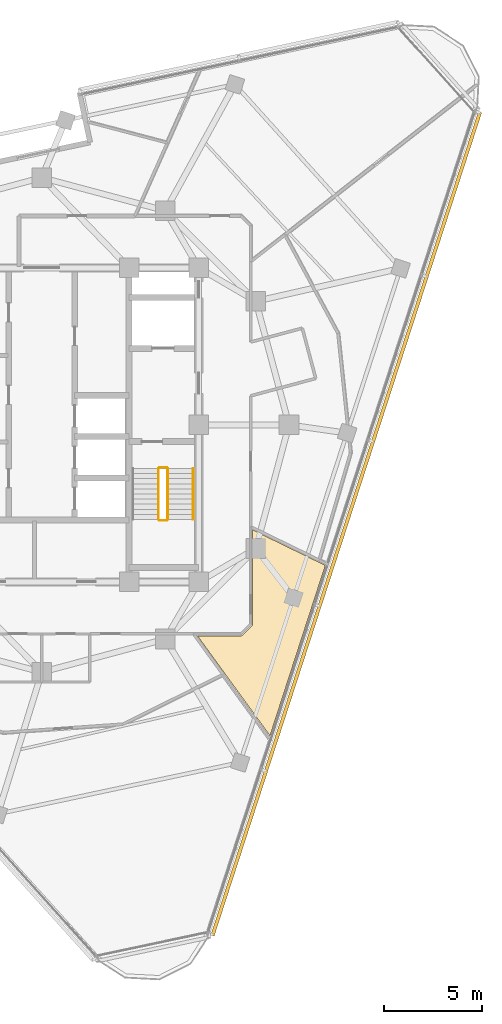
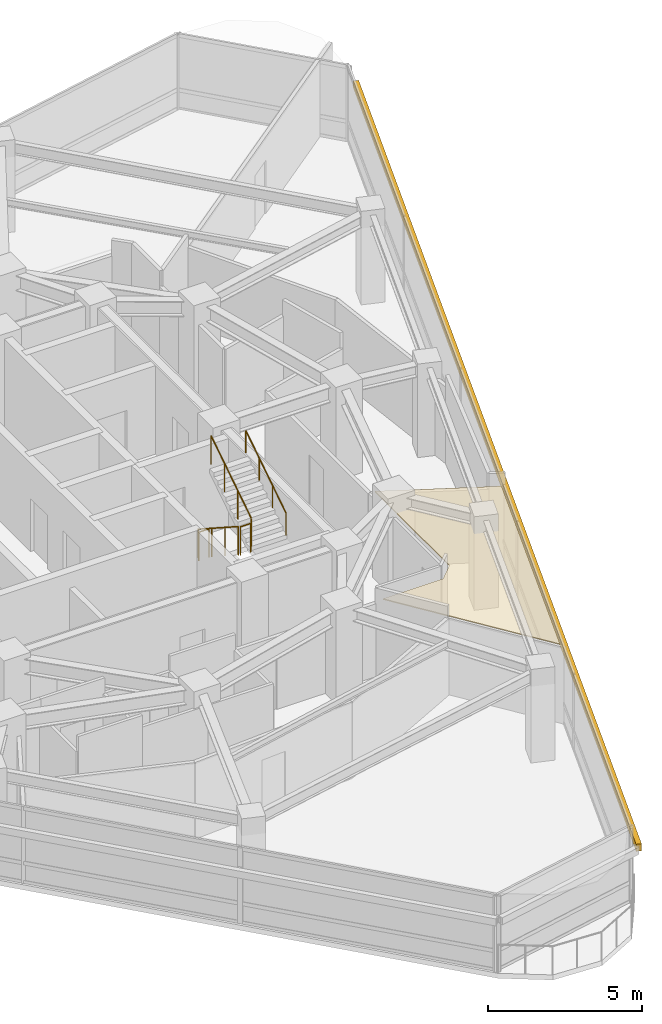
# One storey, part 13 of 15: 5 railings, 1 covering, 1 shading device.
"""IFC4 building model written with IfcOpenShell, lengths in metres."""

from ifc_helpers import new_model, si_unit, direction, frame, origin, origin_2d, place, context, subcontext, project, spatial, polyline, rectangle, circle, outline, extrude, material, layer, layer_set, type_object, element, save


model = new_model("IFC4")

# Units and contexts
model_context = context("Model", 3, precision=1e-05, world=origin(), true_north=direction((0.0, 1.0)))
body_context = subcontext(model_context, "Body", "Model", "MODEL_VIEW")
ifc_project = project(units=[si_unit("LENGTHUNIT", "METRE"), si_unit("AREAUNIT", "SQUARE_METRE"), si_unit("VOLUMEUNIT", "CUBIC_METRE"), si_unit("PLANEANGLEUNIT", "RADIAN"), si_unit("MASSUNIT", "GRAM", prefix="KILO")], contexts=[model_context])

# Site, building, storey
site_placement = place(None, origin())
site = spatial("IfcSite", under=ifc_project, at=site_placement, CompositionType="ELEMENT")
building_placement = place(site_placement, origin())
building = spatial("IfcBuilding", under=site, at=building_placement, Name="Terralouvre Media Tower", CompositionType="ELEMENT")
storey_placement = place(building_placement, frame((0.0, 0.0, 294.300048828125)))
storey = spatial("IfcBuildingStorey", under=building, at=storey_placement, Name="L76", CompositionType="ELEMENT", Elevation=294.300048828125)

# Covering
ifc_material_1 = material(Name="Perforated aluminium acoustic ceiling baffle", Category="aluminium")
ifc_layer_1 = layer(ifc_material_1, 0.0400390625, Name="Perforated Acoustic Metal Tile Ceiling CL-AC1")
ifc_layer_set_1 = layer_set([ifc_layer_1], Name="Perforated aluminium acoustic ceiling baffle")
covering_type = type_object("IfcCoveringType", Name="Perforated Acoustic Metal Tile Ceiling CL-AC1", PredefinedType="CEILING", material=ifc_layer_set_1)
covering_placement = place(storey_placement, frame((0.0, 0.0, 2.97998046875), z_axis=(0.0, 0.0, 1.0), x_axis=(0.309016994375, 0.951056516295, 0.0)))
element("IfcCovering", 1, at=covering_placement, inside=storey, type_object=covering_type, Name="L76 Design Critique Boardroom 5 Acoustic Ceiling", PredefinedType="CEILING", context=body_context, shape_type="SweptSolid", body=[
    extrude(outline(polyline([(-1.77001953125, -11.87841796875), (-6.331298828125, -13.3603515625), (-6.3408203125, -13.363037109375), (-6.350341796875, -13.364501953125), (-6.360107421875, -13.365234375), (-6.3701171875, -13.364990234375), (-6.379638671875, -13.36376953125), (-6.389404296875, -13.361572265625), (-6.398681640625, -13.3583984375), (-6.407470703125, -13.354248046875), (-7.03759765625, -13.033447265625), (-7.046142578125, -13.0283203125), (-7.05419921875, -13.022705078125), (-7.0615234375, -13.016357421875), (-7.068359375, -13.00927734375), (-7.07421875, -13.00146484375), (-7.07958984375, -12.9931640625), (-7.083740234375, -12.984375), (-7.08740234375, -12.97509765625), (-7.77197265625, -10.867919921875), (-9.16162109375, -12.779541015625), (-11.468994140625, -15.95654296875), (-2.34375, -15.956298828125), (-2.287353515625, -15.557373046875), (-1.77001953125, -11.87841796875)])), origin(), (0.0, 0.0, 1.0), 0.0400390625),
])

# Railings
ifc_material_2 = material(Name="Stainless steel 316 handrail and balustrade", Category="steel")
ifc_layer_2 = layer(ifc_material_2, 0.050048828125, Name="Stair Flight Wall Handrail HR-INT1")
ifc_layer_set_2 = layer_set([ifc_layer_2], Name="Stainless steel 316 handrail and balustrade")
railing_type_1 = type_object("IfcRailingType", Name="Stair Flight Wall Handrail HR-INT1", PredefinedType="HANDRAIL", material=ifc_layer_set_2)
railing_1_placement = place(storey_placement, frame((7.72998046875, -4.820068359375, 2.01806640625)))
element("IfcRailing", 2, at=railing_1_placement, inside=storey, type_object=railing_type_1, Name="L76 ST-02 stair handrail 2", PredefinedType="HANDRAIL", context=body_context, shape_type="SweptSolid", body=[
    extrude(circle(Radius=0.02392578125, at=origin_2d()), frame((0.0, 0.0, 0.8759765625), z_axis=(0.0, 0.839648411786, 0.543130320075), x_axis=(-1.0, 0.0, 0.0)), (0.0, 0.0, 1.0), 3.0966796875),
    extrude(circle(Radius=0.02099609375, at=origin_2d()), origin(), (0.0, 0.0, 1.0), 0.851806640625),
    extrude(circle(Radius=0.02099609375, at=origin_2d()), frame((0.0, 0.86669921875, 0.560546875)), (0.0, 0.0, 1.0), 0.851806640625),
    extrude(circle(Radius=0.02099609375, at=origin_2d()), frame((0.0, 1.7333984375, 1.121337890625)), (0.0, 0.0, 1.0), 0.851806640625),
    extrude(circle(Radius=0.02099609375, at=origin_2d()), frame((0.0, 2.60009765625, 1.681884765625)), (0.0, 0.0, 1.0), 0.851806640625),
])
ifc_material_3 = material(Name="Stainless steel 316 handrail and balustrade", Category="steel")
ifc_layer_3 = layer(ifc_material_3, 0.050048828125, Name="Stairwell Safety Guardrail GR-INT1")
ifc_layer_set_3 = layer_set([ifc_layer_3], Name="Stainless steel 316 handrail and balustrade")
railing_type_2 = type_object("IfcRailingType", Name="Stairwell Safety Guardrail GR-INT1", PredefinedType="GUARDRAIL", material=ifc_layer_set_3)
railing_2_placement = place(storey_placement, frame((5.949951171875, -2.219970703125, 0.168212890625)))
element("IfcRailing", 3, at=railing_2_placement, inside=storey, type_object=railing_type_2, Name="L76 ST-02 stair guard 1", PredefinedType="GUARDRAIL", context=body_context, shape_type="SweptSolid", body=[
    extrude(circle(Radius=0.02392578125, at=origin_2d()), frame((0.0, 0.0, 1.1259765625), z_axis=(0.0, -0.839684365666, 0.543074733399), x_axis=(1.0, 0.0, 0.0)), (0.0, 0.0, 1.0), 3.096435546875),
    extrude(circle(Radius=0.02099609375, at=origin_2d()), origin(), (0.0, 0.0, 1.0), 1.101806640625),
    extrude(circle(Radius=0.02099609375, at=origin_2d()), frame((0.0, -0.86669921875, 0.560546875)), (0.0, 0.0, 1.0), 1.101806640625),
    extrude(circle(Radius=0.02099609375, at=origin_2d()), frame((0.0, -1.7333984375, 1.12109375)), (0.0, 0.0, 1.0), 1.101806640625),
    extrude(circle(Radius=0.02099609375, at=origin_2d()), frame((0.0, -2.60009765625, 1.681640625)), (0.0, 0.0, 1.0), 1.101806640625),
])
railing_3_placement = place(storey_placement, frame((6.0, -4.8701171875, 1.849853515625)))
element("IfcRailing", 4, at=railing_3_placement, inside=storey, type_object=railing_type_2, Name="L76 ST-02 stair guard 2", PredefinedType="GUARDRAIL", context=body_context, shape_type="SweptSolid", body=[
    extrude(circle(Radius=0.02392578125, at=origin_2d()), frame((0.0, 0.0, 1.1259765625), z_axis=(1.0, 0.0, 0.0), x_axis=(0.0, 1.0, 0.0)), (0.0, 0.0, 1.0), 0.3798828125),
    extrude(circle(Radius=0.02099609375, at=origin_2d()), origin(), (0.0, 0.0, 1.0), 1.101806640625),
    extrude(circle(Radius=0.02099609375, at=origin_2d()), frame((0.3798828125, 0.0, 0.0)), (0.0, 0.0, 1.0), 1.101806640625),
])
railing_4_placement = place(storey_placement, frame((6.429931640625, -4.820068359375, 2.01806640625)))
element("IfcRailing", 5, at=railing_4_placement, inside=storey, type_object=railing_type_2, Name="L76 ST-02 stair guard 3", PredefinedType="GUARDRAIL", context=body_context, shape_type="SweptSolid", body=[
    extrude(circle(Radius=0.02392578125, at=origin_2d()), frame((0.0, 0.0, 1.1259765625), z_axis=(0.0, 0.839648411786, 0.543130320075), x_axis=(-1.0, 0.0, 0.0)), (0.0, 0.0, 1.0), 3.0966796875),
    extrude(circle(Radius=0.02099609375, at=origin_2d()), origin(), (0.0, 0.0, 1.0), 1.101806640625),
    extrude(circle(Radius=0.02099609375, at=origin_2d()), frame((0.0, 0.86669921875, 0.560546875)), (0.0, 0.0, 1.0), 1.101806640625),
    extrude(circle(Radius=0.02099609375, at=origin_2d()), frame((0.0, 1.7333984375, 1.121337890625)), (0.0, 0.0, 1.0), 1.101806640625),
    extrude(circle(Radius=0.02099609375, at=origin_2d()), frame((0.0, 2.60009765625, 1.681884765625)), (0.0, 0.0, 1.0), 1.101806640625),
])
railing_5_placement = place(storey_placement, frame((6.0, -2.169921875, 0.0)))
element("IfcRailing", 6, at=railing_5_placement, inside=storey, type_object=railing_type_2, Name="L76 ST-02 stair guard 4", PredefinedType="GUARDRAIL", context=body_context, shape_type="SweptSolid", body=[
    extrude(circle(Radius=0.02392578125, at=origin_2d()), frame((0.0, 0.0, 1.1259765625), z_axis=(1.0, 0.0, 0.0), x_axis=(0.0, 1.0, 0.0)), (0.0, 0.0, 1.0), 0.3798828125),
    extrude(circle(Radius=0.02099609375, at=origin_2d()), origin(), (0.0, 0.0, 1.0), 1.101806640625),
    extrude(circle(Radius=0.02099609375, at=origin_2d()), frame((0.3798828125, 0.0, 0.0)), (0.0, 0.0, 1.0), 1.101806640625),
])

# Shading device
ifc_material_4 = material(Name="Extruded terracotta baguette sunshade louvres", Category="masonry")
shading_device_type = type_object("IfcShadingDeviceType", Name="Terracotta Baguette Sunshade Louvre Screen TB-LV1", PredefinedType="USERDEFINED", material=ifc_material_4)
shading_device_placement = place(storey_placement, frame((15.517822265625, -5.0419921875, 2.02392578125), z_axis=(0.0, 0.0, 1.0), x_axis=(0.309017021946, 0.951056507337, 0.0)))
element("IfcShadingDevice", 7, at=shading_device_placement, inside=storey, type_object=shading_device_type, Name="CW-L76-F0 Terracotta Baguette Sunshade Louvre", ObjectType="BAGUETTE", PredefinedType="USERDEFINED", context=body_context, shape_type="SweptSolid", body=[
    extrude(rectangle(XDim=44.1201171875, YDim=0.179931640625, at=origin_2d()), origin(), (0.0, 0.0, 1.0), 0.280029296875),
])

save(model, "model.ifc")
